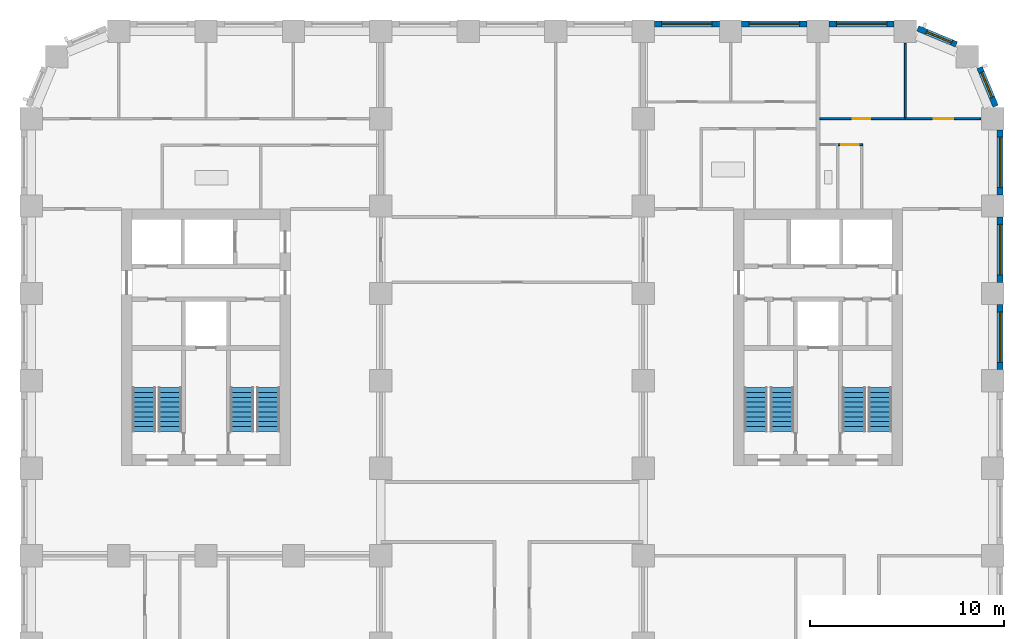
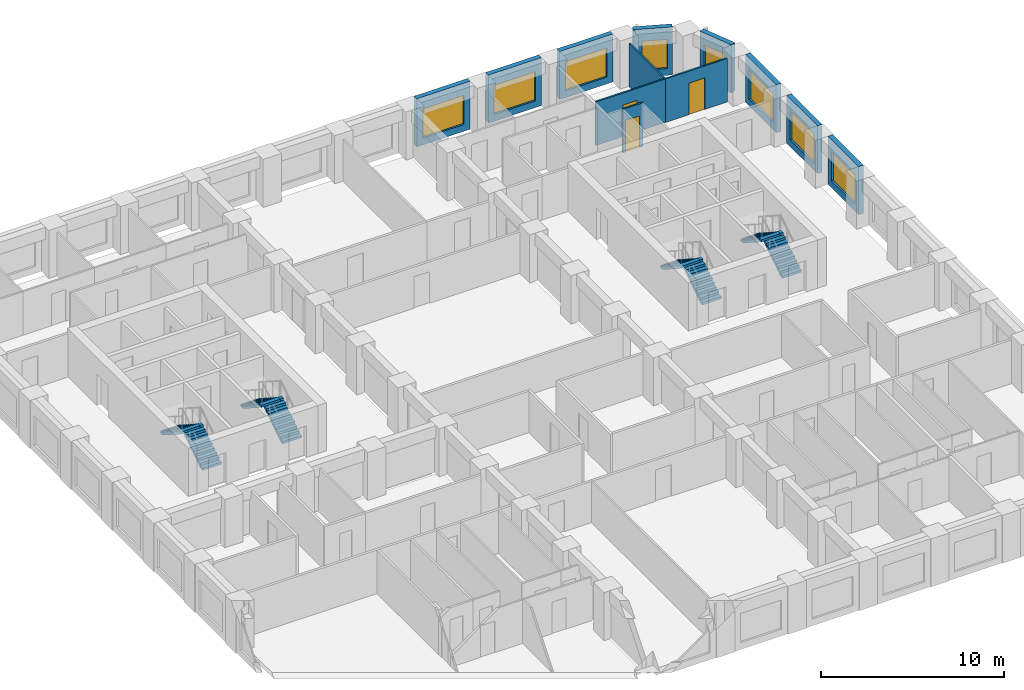
# One storey, part 9 of 12: 12 walls, 8 stair flights, 8 windows, 3 doors, 11 openings, 4 elements without a shape of their own.
"""IFC4 building model written with IfcOpenShell, lengths in metres."""

from ifc_helpers import new_model, si_unit, direction, frame, frame_2d, origin, place, context, subcontext, project, spatial, polyline, rectangle, outline, extrude, material, layer, layer_set, type_object, element, fill, aggregate, save


model = new_model("IFC4")

# Units and contexts
model_context = context("Model", 3, precision=1e-05, world=origin(), true_north=direction((0.0, 1.0)))
body_context = subcontext(model_context, "Body", "Model", "MODEL_VIEW")
ifc_project = project(units=[si_unit("LENGTHUNIT", "METRE"), si_unit("AREAUNIT", "SQUARE_METRE"), si_unit("VOLUMEUNIT", "CUBIC_METRE"), si_unit("PLANEANGLEUNIT", "RADIAN"), si_unit("MASSUNIT", "GRAM", prefix="KILO")], contexts=[model_context])

# Site, building, storey
site_placement = place(None, origin())
site = spatial("IfcSite", under=ifc_project, at=site_placement, CompositionType="ELEMENT")
building_placement = place(site_placement, origin())
building = spatial("IfcBuilding", under=site, at=building_placement, Name="Girih Gate Residences", CompositionType="ELEMENT")
storey_placement = place(building_placement, frame((0.0, 0.0, 115.199951171875)))
storey = spatial("IfcBuildingStorey", under=building, at=storey_placement, Name="L32", CompositionType="ELEMENT", Elevation=115.199951171875)

# Wall, opening, door
ifc_material_1 = material(Name="Gypsum board on steel studs", Category="steel")
ifc_layer_1 = layer(ifc_material_1, 0.10009765625)
ifc_layer_set_1 = layer_set([ifc_layer_1], Name="Partition 100 mm")
wall_type_1 = type_object("IfcWallType", Name="Partition 100 mm", PredefinedType="PARTITIONING", material=ifc_layer_set_1)
wall_1_placement = place(storey_placement, frame((40.60009765625, 45.0, 0.0), z_axis=(0.0, 0.0, 1.0), x_axis=(1.0, 0.0, 0.0)))
wall_1 = element("IfcWall", 1, at=wall_1_placement, inside=storey, type_object=wall_type_1, Name="L32 partition", PredefinedType="PARTITIONING", context=body_context, shape_type="SweptSolid", body=[
    extrude(rectangle(XDim=4.39990234375, YDim=0.10009765625, at=frame_2d((2.199951171875, 0.0))), origin(), (0.0, 0.0, 1.0), 2.900146484375),
])
opening_1_placement = place(wall_1_placement, frame((1.699951171875, 0.0, 0.0)))
opening_1 = element("IfcOpeningElement", 2, at=opening_1_placement, cuts=wall_1, Name="Opening A32-030", PredefinedType="OPENING", context=body_context, shape_type="SweptSolid", body=[
    extrude(rectangle(XDim=0.89990234375, YDim=2.10009765625, at=frame_2d((0.449951171875, 1.050048828125))), frame((0.0, 0.06005859375, 0.0), z_axis=(0.0, -1.0, 0.0), x_axis=(1.0, 0.0, 0.0)), (0.0, 0.0, 1.0), 0.1201171875),
])
ifc_material_2 = material(Name="Timber", Category="wood")
door_type_1 = type_object("IfcDoorType", Name="Bedroom door 900x2100", OperationType="NOTDEFINED", PredefinedType="DOOR", material=ifc_material_2)
door_1_placement = place(opening_1_placement, origin())
door_1 = element("IfcDoor", 3, at=door_1_placement, inside=storey, type_object=door_type_1, Name="Door A32-030", OperationType="SINGLE_SWING_LEFT", OverallHeight=2.10009765625, OverallWidth=0.89990234375, PredefinedType="DOOR", context=body_context, shape_type="SweptSolid", body=[
    extrude(rectangle(XDim=0.89990234375, YDim=2.10009765625, at=frame_2d((0.449951171875, 1.050048828125))), frame((0.0, 0.02490234375, 0.0), z_axis=(0.0, -1.0, 0.0), x_axis=(1.0, 0.0, 0.0)), (0.0, 0.0, 1.0), 0.050048828125),
])
fill(opening_1, door_1)

# Wall
wall_2_placement = place(storey_placement, frame((45.0, 45.050048828125, 0.0), z_axis=(0.0, 0.0, 1.0), x_axis=(0.0, 1.0, 0.0)))
element("IfcWall", 4, at=wall_2_placement, inside=storey, type_object=wall_type_1, Name="L32 partition", PredefinedType="PARTITIONING", context=body_context, shape_type="SweptSolid", body=[
    extrude(rectangle(XDim=3.82763671875, YDim=0.10009765625, at=frame_2d((1.913818359375, 0.0))), origin(), (0.0, 0.0, 1.0), 2.900146484375),
])

# Wall, opening, door
wall_3_placement = place(storey_placement, frame((42.800048828125, 43.659912109375, 0.0), z_axis=(0.0, 0.0, 1.0), x_axis=(-1.0, 0.0, 0.0)))
wall_3 = element("IfcWall", 5, at=wall_3_placement, inside=storey, type_object=wall_type_1, Name="L32 partition", PredefinedType="PARTITIONING", context=body_context, shape_type="SweptSolid", body=[
    extrude(rectangle(XDim=1.27734375, YDim=0.10009765625, at=frame_2d((0.638671875, 0.0))), origin(), (0.0, 0.0, 1.0), 2.900146484375),
])
opening_2_placement = place(wall_3_placement, frame((0.213623046875, 0.0, 0.0)))
opening_2 = element("IfcOpeningElement", 6, at=opening_2_placement, cuts=wall_3, Name="Opening A32-031", PredefinedType="OPENING", context=body_context, shape_type="SweptSolid", body=[
    extrude(rectangle(XDim=0.89990234375, YDim=2.10009765625, at=frame_2d((0.449951171875, 1.050048828125))), frame((0.0, 0.06005859375, 0.0), z_axis=(0.0, -1.0, 0.0), x_axis=(1.0, 0.0, 0.0)), (0.0, 0.0, 1.0), 0.1201171875),
])
door_type_2 = type_object("IfcDoorType", Name="Kitchen door 900x2100", OperationType="NOTDEFINED", PredefinedType="DOOR", material=ifc_material_2)
door_2_placement = place(opening_2_placement, origin())
door_2 = element("IfcDoor", 7, at=door_2_placement, inside=storey, type_object=door_type_2, Name="Door A32-031", OperationType="SINGLE_SWING_RIGHT", OverallHeight=2.10009765625, OverallWidth=0.89990234375, PredefinedType="DOOR", context=body_context, shape_type="SweptSolid", body=[
    extrude(rectangle(XDim=0.89990234375, YDim=2.10009765625, at=frame_2d((0.449951171875, 1.050048828125))), frame((0.0, 0.02490234375, 0.0), z_axis=(0.0, -1.0, 0.0), x_axis=(1.0, 0.0, 0.0)), (0.0, 0.0, 1.0), 0.050048828125),
])
fill(opening_2, door_2)

wall_4_placement = place(storey_placement, frame((45.0, 45.0, 0.0), z_axis=(0.0, 0.0, 1.0), x_axis=(1.0, 0.0, 0.0)))
wall_4 = element("IfcWall", 8, at=wall_4_placement, inside=storey, type_object=wall_type_1, Name="L32 partition", PredefinedType="PARTITIONING", context=body_context, shape_type="SweptSolid", body=[
    extrude(rectangle(XDim=3.877685546875, YDim=0.10009765625, at=frame_2d((1.93896484375, 0.0))), origin(), (0.0, 0.0, 1.0), 2.900146484375),
])
opening_3_placement = place(wall_4_placement, frame((1.46240234375, 0.0, 0.0)))
opening_3 = element("IfcOpeningElement", 9, at=opening_3_placement, cuts=wall_4, Name="Opening A32-032", PredefinedType="OPENING", context=body_context, shape_type="SweptSolid", body=[
    extrude(rectangle(XDim=1.0, YDim=2.10009765625, at=frame_2d((0.5, 1.050048828125))), frame((0.0, 0.06005859375, 0.0), z_axis=(0.0, -1.0, 0.0), x_axis=(1.0, 0.0, 0.0)), (0.0, 0.0, 1.0), 0.1201171875),
])
door_type_3 = type_object("IfcDoorType", Name="Living room door 1000x2100", OperationType="NOTDEFINED", PredefinedType="DOOR", material=ifc_material_2)
door_3_placement = place(opening_3_placement, origin())
door_3 = element("IfcDoor", 10, at=door_3_placement, inside=storey, type_object=door_type_3, Name="Door A32-032", OperationType="SINGLE_SWING_RIGHT", OverallHeight=2.10009765625, OverallWidth=1.0, PredefinedType="DOOR", context=body_context, shape_type="SweptSolid", body=[
    extrude(rectangle(XDim=1.0, YDim=2.10009765625, at=frame_2d((0.5, 1.050048828125))), frame((0.0, 0.02490234375, 0.0), z_axis=(0.0, -1.0, 0.0), x_axis=(1.0, 0.0, 0.0)), (0.0, 0.0, 1.0), 0.050048828125),
])
fill(opening_3, door_3)

# Wall, opening, window
ifc_material_3 = material(Name="Precast concrete C50/60", Category="concrete")
ifc_layer_2 = layer(ifc_material_3, 0.080078125, Name="Outer leaf")
ifc_material_4 = material(Name="Rigid PIR insulation")
ifc_layer_3 = layer(ifc_material_4, 0.14990234375, Name="Insulation")
ifc_material_5 = material(Name="Precast concrete C40/50", Category="concrete")
ifc_layer_4 = layer(ifc_material_5, 0.070068359375, Name="Inner leaf")
ifc_layer_set_2 = layer_set([ifc_layer_2, ifc_layer_3, ifc_layer_4], Name="Precast concrete C50/60 external wall 300")
wall_type_2 = type_object("IfcWallType", Name="Precast concrete C50/60 external wall 300", PredefinedType="SOLIDWALL", material=ifc_layer_set_2)
wall_5_placement = place(storey_placement, frame((49.875, 35.425048828125, 0.0), z_axis=(0.0, 0.0, 1.0), x_axis=(0.0, -1.0, 0.0)))
wall_5 = element("IfcWall", 11, at=wall_5_placement, inside=storey, type_object=wall_type_2, Name="External wall E0495_0045.6", PredefinedType="SOLIDWALL", context=body_context, shape_type="SweptSolid", body=[
    extrude(rectangle(XDim=3.35009765625, YDim=0.300048828125, at=frame_2d((1.675048828125, 0.0))), origin(), (0.0, 0.0, 1.0), 3.199951171875),
])
opening_4_placement = place(wall_5_placement, frame((0.375, 0.0, 0.449951171875)))
opening_4 = element("IfcOpeningElement", 12, at=opening_4_placement, cuts=wall_5, Name="Opening W-1A", PredefinedType="OPENING", context=body_context, shape_type="SweptSolid", body=[
    extrude(rectangle(XDim=2.60009765625, YDim=1.949951171875, at=frame_2d((1.300048828125, 0.97509765625))), frame((0.0, 0.159912109375, 0.0), z_axis=(0.0, -1.0, 0.0), x_axis=(1.0, 0.0, 0.0)), (0.0, 0.0, 1.0), 0.320068359375),
])
ifc_material_6 = material(Name="Double glazing in aluminium frame", Category="aluminium")
window_type_1 = type_object("IfcWindowType", Name="Window W-1A 2600x1950", PartitioningType="SINGLE_PANEL", PredefinedType="WINDOW", material=ifc_material_6)
window_1_placement = place(opening_4_placement, origin())
window_1 = element("IfcWindow", 13, at=window_1_placement, inside=storey, type_object=window_type_1, Name="Window W-1A E0495_0045.6", OverallHeight=1.949951171875, OverallWidth=2.60009765625, PartitioningType="SINGLE_PANEL", PredefinedType="WINDOW", context=body_context, shape_type="SweptSolid", body=[
    extrude(rectangle(XDim=2.60009765625, YDim=1.949951171875, at=frame_2d((1.300048828125, 0.97509765625))), frame((0.0, 0.030029296875, 0.0), z_axis=(0.0, -1.0, 0.0), x_axis=(1.0, 0.0, 0.0)), (0.0, 0.0, 1.0), 0.06005859375),
])
fill(opening_4, window_1)

wall_6_placement = place(storey_placement, frame((49.875, 39.925048828125, 0.0), z_axis=(0.0, 0.0, 1.0), x_axis=(0.0, -1.0, 0.0)))
wall_6 = element("IfcWall", 14, at=wall_6_placement, inside=storey, type_object=wall_type_2, Name="External wall E0495_0045.7", PredefinedType="SOLIDWALL", context=body_context, shape_type="SweptSolid", body=[
    extrude(rectangle(XDim=3.35009765625, YDim=0.300048828125, at=frame_2d((1.675048828125, 0.0))), origin(), (0.0, 0.0, 1.0), 3.199951171875),
])
opening_5_placement = place(wall_6_placement, frame((0.375, 0.0, 0.449951171875)))
opening_5 = element("IfcOpeningElement", 15, at=opening_5_placement, cuts=wall_6, Name="Opening W-1A", PredefinedType="OPENING", context=body_context, shape_type="SweptSolid", body=[
    extrude(rectangle(XDim=2.60009765625, YDim=1.949951171875, at=frame_2d((1.300048828125, 0.97509765625))), frame((0.0, 0.159912109375, 0.0), z_axis=(0.0, -1.0, 0.0), x_axis=(1.0, 0.0, 0.0)), (0.0, 0.0, 1.0), 0.320068359375),
])
window_2_placement = place(opening_5_placement, origin())
window_2 = element("IfcWindow", 16, at=window_2_placement, inside=storey, type_object=window_type_1, Name="Window W-1A E0495_0045.7", OverallHeight=1.949951171875, OverallWidth=2.60009765625, PartitioningType="SINGLE_PANEL", PredefinedType="WINDOW", context=body_context, shape_type="SweptSolid", body=[
    extrude(rectangle(XDim=2.60009765625, YDim=1.949951171875, at=frame_2d((1.300048828125, 0.97509765625))), frame((0.0, 0.030029296875, 0.0), z_axis=(0.0, -1.0, 0.0), x_axis=(1.0, 0.0, 0.0)), (0.0, 0.0, 1.0), 0.06005859375),
])
fill(opening_5, window_2)

wall_7_placement = place(storey_placement, frame((49.875, 44.425048828125, 0.0), z_axis=(0.0, 0.0, 1.0), x_axis=(0.0, -1.0, 0.0)))
wall_7 = element("IfcWall", 17, at=wall_7_placement, inside=storey, type_object=wall_type_2, Name="External wall E0495_0045.8", PredefinedType="SOLIDWALL", context=body_context, shape_type="SweptSolid", body=[
    extrude(rectangle(XDim=3.35009765625, YDim=0.300048828125, at=frame_2d((1.675048828125, 0.0))), origin(), (0.0, 0.0, 1.0), 3.199951171875),
])
opening_6_placement = place(wall_7_placement, frame((0.375, 0.0, 0.449951171875)))
opening_6 = element("IfcOpeningElement", 18, at=opening_6_placement, cuts=wall_7, Name="Opening W-1A", PredefinedType="OPENING", context=body_context, shape_type="SweptSolid", body=[
    extrude(rectangle(XDim=2.60009765625, YDim=1.949951171875, at=frame_2d((1.300048828125, 0.97509765625))), frame((0.0, 0.159912109375, 0.0), z_axis=(0.0, -1.0, 0.0), x_axis=(1.0, 0.0, 0.0)), (0.0, 0.0, 1.0), 0.320068359375),
])
window_3_placement = place(opening_6_placement, origin())
window_3 = element("IfcWindow", 19, at=window_3_placement, inside=storey, type_object=window_type_1, Name="Window W-1A E0495_0045.8", OverallHeight=1.949951171875, OverallWidth=2.60009765625, PartitioningType="SINGLE_PANEL", PredefinedType="WINDOW", context=body_context, shape_type="SweptSolid", body=[
    extrude(rectangle(XDim=2.60009765625, YDim=1.949951171875, at=frame_2d((1.300048828125, 0.97509765625))), frame((0.0, 0.030029296875, 0.0), z_axis=(0.0, -1.0, 0.0), x_axis=(1.0, 0.0, 0.0)), (0.0, 0.0, 1.0), 0.06005859375),
])
fill(opening_6, window_3)

wall_8_placement = place(storey_placement, frame((48.81591796875, 47.63134765625, 0.0), z_axis=(0.0, 0.0, 1.0), x_axis=(0.382723818695, -0.923862802911, 0.0)))
wall_8 = element("IfcWall", 20, at=wall_8_placement, inside=storey, type_object=wall_type_2, Name="External wall NE0495_0450.0", PredefinedType="SOLIDWALL", context=body_context, shape_type="SweptSolid", body=[
    extrude(rectangle(XDim=2.163818359375, YDim=0.300048828125, at=frame_2d((1.08203125, 0.0))), origin(), (0.0, 0.0, 1.0), 3.199951171875),
])
opening_7_placement = place(wall_8_placement, frame((0.270751953125, 0.0, 0.449951171875)))
opening_7 = element("IfcOpeningElement", 21, at=opening_7_placement, cuts=wall_8, Name="Opening W-2D", PredefinedType="OPENING", context=body_context, shape_type="SweptSolid", body=[
    extrude(rectangle(XDim=1.39990234375, YDim=1.949951171875, at=frame_2d((0.699951171875, 0.97509765625))), frame((0.0, 0.159912109375, 0.0), z_axis=(0.0, -1.0, 0.0), x_axis=(1.0, 0.0, 0.0)), (0.0, 0.0, 1.0), 0.320068359375),
])
window_type_2 = type_object("IfcWindowType", Name="Window W-2D 1400x1950", PartitioningType="SINGLE_PANEL", PredefinedType="WINDOW", material=ifc_material_6)
window_4_placement = place(opening_7_placement, origin())
window_4 = element("IfcWindow", 22, at=window_4_placement, inside=storey, type_object=window_type_2, Name="Window W-2D NE0495_0450.0", OverallHeight=1.949951171875, OverallWidth=1.39990234375, PartitioningType="SINGLE_PANEL", PredefinedType="WINDOW", context=body_context, shape_type="SweptSolid", body=[
    extrude(rectangle(XDim=1.39990234375, YDim=1.949951171875, at=frame_2d((0.699951171875, 0.97509765625))), frame((0.0, 0.030029296875, 0.0), z_axis=(0.0, -1.0, 0.0), x_axis=(1.0, 0.0, 0.0)), (0.0, 0.0, 1.0), 0.06005859375),
])
fill(opening_7, window_4)

wall_9_placement = place(storey_placement, frame((45.63232421875, 49.64404296875, 0.0), z_axis=(0.0, 0.0, 1.0), x_axis=(0.923862802911, -0.382723818695, 0.0)))
wall_9 = element("IfcWall", 23, at=wall_9_placement, inside=storey, type_object=wall_type_2, Name="External wall NE0482_0482.0", PredefinedType="SOLIDWALL", context=body_context, shape_type="SweptSolid", body=[
    extrude(rectangle(XDim=2.163818359375, YDim=0.300048828125, at=frame_2d((1.08203125, 0.0))), origin(), (0.0, 0.0, 1.0), 3.199951171875),
])
opening_8_placement = place(wall_9_placement, frame((0.492919921875, 0.0, 0.449951171875)))
opening_8 = element("IfcOpeningElement", 24, at=opening_8_placement, cuts=wall_9, Name="Opening W-2D", PredefinedType="OPENING", context=body_context, shape_type="SweptSolid", body=[
    extrude(rectangle(XDim=1.39990234375, YDim=1.949951171875, at=frame_2d((0.699951171875, 0.97509765625))), frame((0.0, 0.159912109375, 0.0), z_axis=(0.0, -1.0, 0.0), x_axis=(1.0, 0.0, 0.0)), (0.0, 0.0, 1.0), 0.320068359375),
])
window_5_placement = place(opening_8_placement, origin())
window_5 = element("IfcWindow", 25, at=window_5_placement, inside=storey, type_object=window_type_2, Name="Window W-2D NE0482_0482.0", OverallHeight=1.949951171875, OverallWidth=1.39990234375, PartitioningType="SINGLE_PANEL", PredefinedType="WINDOW", context=body_context, shape_type="SweptSolid", body=[
    extrude(rectangle(XDim=1.39990234375, YDim=1.949951171875, at=frame_2d((0.699951171875, 0.97509765625))), frame((0.0, 0.030029296875, 0.0), z_axis=(0.0, -1.0, 0.0), x_axis=(1.0, 0.0, 0.0)), (0.0, 0.0, 1.0), 0.06005859375),
])
fill(opening_8, window_5)

wall_10_placement = place(storey_placement, frame((41.074951171875, 49.875, 0.0), z_axis=(0.0, 0.0, 1.0), x_axis=(1.0, 0.0, 0.0)))
wall_10 = element("IfcWall", 26, at=wall_10_placement, inside=storey, type_object=wall_type_2, Name="External wall N0450_0495.0", PredefinedType="SOLIDWALL", context=body_context, shape_type="SweptSolid", body=[
    extrude(rectangle(XDim=3.35009765625, YDim=0.300048828125, at=frame_2d((1.675048828125, 0.0))), origin(), (0.0, 0.0, 1.0), 3.199951171875),
])
opening_9_placement = place(wall_10_placement, frame((0.375, 0.0, 0.449951171875)))
opening_9 = element("IfcOpeningElement", 27, at=opening_9_placement, cuts=wall_10, Name="Opening W-1A", PredefinedType="OPENING", context=body_context, shape_type="SweptSolid", body=[
    extrude(rectangle(XDim=2.60009765625, YDim=1.949951171875, at=frame_2d((1.300048828125, 0.97509765625))), frame((0.0, 0.159912109375, 0.0), z_axis=(0.0, -1.0, 0.0), x_axis=(1.0, 0.0, 0.0)), (0.0, 0.0, 1.0), 0.320068359375),
])
window_6_placement = place(opening_9_placement, origin())
window_6 = element("IfcWindow", 28, at=window_6_placement, inside=storey, type_object=window_type_1, Name="Window W-1A N0450_0495.0", OverallHeight=1.949951171875, OverallWidth=2.60009765625, PartitioningType="SINGLE_PANEL", PredefinedType="WINDOW", context=body_context, shape_type="SweptSolid", body=[
    extrude(rectangle(XDim=2.60009765625, YDim=1.949951171875, at=frame_2d((1.300048828125, 0.97509765625))), frame((0.0, 0.030029296875, 0.0), z_axis=(0.0, -1.0, 0.0), x_axis=(1.0, 0.0, 0.0)), (0.0, 0.0, 1.0), 0.06005859375),
])
fill(opening_9, window_6)

wall_11_placement = place(storey_placement, frame((36.574951171875, 49.875, 0.0), z_axis=(0.0, 0.0, 1.0), x_axis=(1.0, 0.0, 0.0)))
wall_11 = element("IfcWall", 29, at=wall_11_placement, inside=storey, type_object=wall_type_2, Name="External wall N0450_0495.1", PredefinedType="SOLIDWALL", context=body_context, shape_type="SweptSolid", body=[
    extrude(rectangle(XDim=3.35009765625, YDim=0.300048828125, at=frame_2d((1.675048828125, 0.0))), origin(), (0.0, 0.0, 1.0), 3.199951171875),
])
opening_10_placement = place(wall_11_placement, frame((0.375, 0.0, 0.449951171875)))
opening_10 = element("IfcOpeningElement", 30, at=opening_10_placement, cuts=wall_11, Name="Opening W-1A", PredefinedType="OPENING", context=body_context, shape_type="SweptSolid", body=[
    extrude(rectangle(XDim=2.60009765625, YDim=1.949951171875, at=frame_2d((1.300048828125, 0.97509765625))), frame((0.0, 0.159912109375, 0.0), z_axis=(0.0, -1.0, 0.0), x_axis=(1.0, 0.0, 0.0)), (0.0, 0.0, 1.0), 0.320068359375),
])
window_7_placement = place(opening_10_placement, origin())
window_7 = element("IfcWindow", 31, at=window_7_placement, inside=storey, type_object=window_type_1, Name="Window W-1A N0450_0495.1", OverallHeight=1.949951171875, OverallWidth=2.60009765625, PartitioningType="SINGLE_PANEL", PredefinedType="WINDOW", context=body_context, shape_type="SweptSolid", body=[
    extrude(rectangle(XDim=2.60009765625, YDim=1.949951171875, at=frame_2d((1.300048828125, 0.97509765625))), frame((0.0, 0.030029296875, 0.0), z_axis=(0.0, -1.0, 0.0), x_axis=(1.0, 0.0, 0.0)), (0.0, 0.0, 1.0), 0.06005859375),
])
fill(opening_10, window_7)

wall_12_placement = place(storey_placement, frame((32.074951171875, 49.875, 0.0), z_axis=(0.0, 0.0, 1.0), x_axis=(1.0, 0.0, 0.0)))
wall_12 = element("IfcWall", 32, at=wall_12_placement, inside=storey, type_object=wall_type_2, Name="External wall N0450_0495.2", PredefinedType="SOLIDWALL", context=body_context, shape_type="SweptSolid", body=[
    extrude(rectangle(XDim=3.35009765625, YDim=0.300048828125, at=frame_2d((1.675048828125, 0.0))), origin(), (0.0, 0.0, 1.0), 3.199951171875),
])
opening_11_placement = place(wall_12_placement, frame((0.375, 0.0, 0.449951171875)))
opening_11 = element("IfcOpeningElement", 33, at=opening_11_placement, cuts=wall_12, Name="Opening W-1A", PredefinedType="OPENING", context=body_context, shape_type="SweptSolid", body=[
    extrude(rectangle(XDim=2.60009765625, YDim=1.949951171875, at=frame_2d((1.300048828125, 0.97509765625))), frame((0.0, 0.159912109375, 0.0), z_axis=(0.0, -1.0, 0.0), x_axis=(1.0, 0.0, 0.0)), (0.0, 0.0, 1.0), 0.320068359375),
])
window_8_placement = place(opening_11_placement, origin())
window_8 = element("IfcWindow", 34, at=window_8_placement, inside=storey, type_object=window_type_1, Name="Window W-1A N0450_0495.2", OverallHeight=1.949951171875, OverallWidth=2.60009765625, PartitioningType="SINGLE_PANEL", PredefinedType="WINDOW", context=body_context, shape_type="SweptSolid", body=[
    extrude(rectangle(XDim=2.60009765625, YDim=1.949951171875, at=frame_2d((1.300048828125, 0.97509765625))), frame((0.0, 0.030029296875, 0.0), z_axis=(0.0, -1.0, 0.0), x_axis=(1.0, 0.0, 0.0)), (0.0, 0.0, 1.0), 0.06005859375),
])
fill(opening_11, window_8)

# Stair, stair flights
ifc_material_7 = material(Name="Concrete C40/50", Category="concrete")
stair_type = type_object("IfcStairType", Name="Exit stair", PredefinedType="HALF_TURN_STAIR", material=ifc_material_7)
stair_1_placement = place(storey_placement, origin())
stair_1 = element("IfcStair", 35, at=stair_1_placement, inside=storey, type_object=stair_type, Name="L32 Exit Stair ST-W1", PredefinedType="HALF_TURN_STAIR")
stair_flight_type = type_object("IfcStairFlightType", Name="Stair flight 1200", PredefinedType="STRAIGHT", material=ifc_material_7)
stair_flight_1_placement = place(storey_placement, frame((7.14990234375, 28.89990234375, 0.0), z_axis=(0.0, 0.0, 1.0), x_axis=(0.0, 1.0, 0.0)))
stair_flight_1 = element("IfcStairFlight", 36, at=stair_flight_1_placement, type_object=stair_flight_type, Name="ST-W1 flight 1", NumberOfRisers=10, NumberOfTreads=9, PredefinedType="STRAIGHT", RiserHeight=0.16, TreadLength=0.25, context=body_context, shape_type="SweptSolid", body=[
    extrude(outline(polyline([(0.0, 0.0), (0.0, 0.159912109375), (0.25, 0.159912109375), (0.25, 0.320068359375), (0.5, 0.320068359375), (0.5, 0.47998046875), (0.75, 0.47998046875), (0.75, 0.639892578125), (1.0, 0.639892578125), (1.0, 0.800048828125), (1.25, 0.800048828125), (1.25, 0.9599609375), (1.5, 0.9599609375), (1.5, 1.1201171875), (1.75, 1.1201171875), (1.75, 1.280029296875), (2.0, 1.280029296875), (2.0, 1.43994140625), (2.25, 1.43994140625), (2.25, 1.60009765625), (2.25, 1.29736328125), (0.222900390625, 0.0), (0.0, 0.0)])), frame((0.0, 0.60009765625, 0.0), z_axis=(0.0, -1.0, 0.0), x_axis=(1.0, 0.0, 0.0)), (0.0, 0.0, 1.0), 1.199951171875),
])
stair_flight_2_placement = place(storey_placement, frame((5.800048828125, 31.14990234375, 1.60009765625), z_axis=(0.0, 0.0, 1.0), x_axis=(0.0, -1.0, 0.0)))
stair_flight_2 = element("IfcStairFlight", 37, at=stair_flight_2_placement, type_object=stair_flight_type, Name="ST-W1 flight 2", NumberOfRisers=10, NumberOfTreads=9, PredefinedType="STRAIGHT", RiserHeight=0.16, TreadLength=0.25, context=body_context, shape_type="SweptSolid", body=[
    extrude(outline(polyline([(0.0, 0.0), (0.0, 0.159912109375), (0.25, 0.159912109375), (0.25, 0.320068359375), (0.5, 0.320068359375), (0.5, 0.47998046875), (0.75, 0.47998046875), (0.75, 0.639892578125), (1.0, 0.639892578125), (1.0, 0.800048828125), (1.25, 0.800048828125), (1.25, 0.9599609375), (1.5, 0.9599609375), (1.5, 1.1201171875), (1.75, 1.1201171875), (1.75, 1.280029296875), (2.0, 1.280029296875), (2.0, 1.43994140625), (2.25, 1.43994140625), (2.25, 1.60009765625), (2.25, 1.29736328125), (0.222900390625, 0.0), (0.0, 0.0)])), frame((0.0, 0.60009765625, 0.0), z_axis=(0.0, -1.0, 0.0), x_axis=(1.0, 0.0, 0.0)), (0.0, 0.0, 1.0), 1.199951171875),
])
aggregate(stair_1, [stair_flight_1, stair_flight_2])

stair_2_placement = place(storey_placement, origin())
stair_2 = element("IfcStair", 38, at=stair_2_placement, inside=storey, type_object=stair_type, Name="L32 Exit Stair ST-W2", PredefinedType="HALF_TURN_STAIR")
stair_flight_3_placement = place(storey_placement, frame((12.199951171875, 28.89990234375, 0.0), z_axis=(0.0, 0.0, 1.0), x_axis=(0.0, 1.0, 0.0)))
stair_flight_3 = element("IfcStairFlight", 39, at=stair_flight_3_placement, type_object=stair_flight_type, Name="ST-W2 flight 1", NumberOfRisers=10, NumberOfTreads=9, PredefinedType="STRAIGHT", RiserHeight=0.16, TreadLength=0.25, context=body_context, shape_type="SweptSolid", body=[
    extrude(outline(polyline([(0.0, 0.0), (0.0, 0.159912109375), (0.25, 0.159912109375), (0.25, 0.320068359375), (0.5, 0.320068359375), (0.5, 0.47998046875), (0.75, 0.47998046875), (0.75, 0.639892578125), (1.0, 0.639892578125), (1.0, 0.800048828125), (1.25, 0.800048828125), (1.25, 0.9599609375), (1.5, 0.9599609375), (1.5, 1.1201171875), (1.75, 1.1201171875), (1.75, 1.280029296875), (2.0, 1.280029296875), (2.0, 1.43994140625), (2.25, 1.43994140625), (2.25, 1.60009765625), (2.25, 1.29736328125), (0.222900390625, 0.0), (0.0, 0.0)])), frame((0.0, 0.60009765625, 0.0), z_axis=(0.0, -1.0, 0.0), x_axis=(1.0, 0.0, 0.0)), (0.0, 0.0, 1.0), 1.199951171875),
])
stair_flight_4_placement = place(storey_placement, frame((10.85009765625, 31.14990234375, 1.60009765625), z_axis=(0.0, 0.0, 1.0), x_axis=(0.0, -1.0, 0.0)))
stair_flight_4 = element("IfcStairFlight", 40, at=stair_flight_4_placement, type_object=stair_flight_type, Name="ST-W2 flight 2", NumberOfRisers=10, NumberOfTreads=9, PredefinedType="STRAIGHT", RiserHeight=0.16, TreadLength=0.25, context=body_context, shape_type="SweptSolid", body=[
    extrude(outline(polyline([(0.0, 0.0), (0.0, 0.159912109375), (0.25, 0.159912109375), (0.25, 0.320068359375), (0.5, 0.320068359375), (0.5, 0.47998046875), (0.75, 0.47998046875), (0.75, 0.639892578125), (1.0, 0.639892578125), (1.0, 0.800048828125), (1.25, 0.800048828125), (1.25, 0.9599609375), (1.5, 0.9599609375), (1.5, 1.1201171875), (1.75, 1.1201171875), (1.75, 1.280029296875), (2.0, 1.280029296875), (2.0, 1.43994140625), (2.25, 1.43994140625), (2.25, 1.60009765625), (2.25, 1.29736328125), (0.222900390625, 0.0), (0.0, 0.0)])), frame((0.0, 0.60009765625, 0.0), z_axis=(0.0, -1.0, 0.0), x_axis=(1.0, 0.0, 0.0)), (0.0, 0.0, 1.0), 1.199951171875),
])
aggregate(stair_2, [stair_flight_3, stair_flight_4])

stair_3_placement = place(storey_placement, origin())
stair_3 = element("IfcStair", 41, at=stair_3_placement, inside=storey, type_object=stair_type, Name="L32 Exit Stair ST-E1", PredefinedType="HALF_TURN_STAIR")
stair_flight_5_placement = place(storey_placement, frame((43.699951171875, 28.89990234375, 0.0), z_axis=(0.0, 0.0, 1.0), x_axis=(0.0, 1.0, 0.0)))
stair_flight_5 = element("IfcStairFlight", 42, at=stair_flight_5_placement, type_object=stair_flight_type, Name="ST-E1 flight 1", NumberOfRisers=10, NumberOfTreads=9, PredefinedType="STRAIGHT", RiserHeight=0.16, TreadLength=0.25, context=body_context, shape_type="SweptSolid", body=[
    extrude(outline(polyline([(0.0, 0.0), (0.0, 0.159912109375), (0.25, 0.159912109375), (0.25, 0.320068359375), (0.5, 0.320068359375), (0.5, 0.47998046875), (0.75, 0.47998046875), (0.75, 0.639892578125), (1.0, 0.639892578125), (1.0, 0.800048828125), (1.25, 0.800048828125), (1.25, 0.9599609375), (1.5, 0.9599609375), (1.5, 1.1201171875), (1.75, 1.1201171875), (1.75, 1.280029296875), (2.0, 1.280029296875), (2.0, 1.43994140625), (2.25, 1.43994140625), (2.25, 1.60009765625), (2.25, 1.29736328125), (0.222900390625, 0.0), (0.0, 0.0)])), frame((0.0, 0.60009765625, 0.0), z_axis=(0.0, -1.0, 0.0), x_axis=(1.0, 0.0, 0.0)), (0.0, 0.0, 1.0), 1.199951171875),
])
stair_flight_6_placement = place(storey_placement, frame((42.35009765625, 31.14990234375, 1.60009765625), z_axis=(0.0, 0.0, 1.0), x_axis=(0.0, -1.0, 0.0)))
stair_flight_6 = element("IfcStairFlight", 43, at=stair_flight_6_placement, type_object=stair_flight_type, Name="ST-E1 flight 2", NumberOfRisers=10, NumberOfTreads=9, PredefinedType="STRAIGHT", RiserHeight=0.16, TreadLength=0.25, context=body_context, shape_type="SweptSolid", body=[
    extrude(outline(polyline([(0.0, 0.0), (0.0, 0.159912109375), (0.25, 0.159912109375), (0.25, 0.320068359375), (0.5, 0.320068359375), (0.5, 0.47998046875), (0.75, 0.47998046875), (0.75, 0.639892578125), (1.0, 0.639892578125), (1.0, 0.800048828125), (1.25, 0.800048828125), (1.25, 0.9599609375), (1.5, 0.9599609375), (1.5, 1.1201171875), (1.75, 1.1201171875), (1.75, 1.280029296875), (2.0, 1.280029296875), (2.0, 1.43994140625), (2.25, 1.43994140625), (2.25, 1.60009765625), (2.25, 1.29736328125), (0.222900390625, 0.0), (0.0, 0.0)])), frame((0.0, 0.60009765625, 0.0), z_axis=(0.0, -1.0, 0.0), x_axis=(1.0, 0.0, 0.0)), (0.0, 0.0, 1.0), 1.199951171875),
])
aggregate(stair_3, [stair_flight_5, stair_flight_6])

stair_4_placement = place(storey_placement, origin())
stair_4 = element("IfcStair", 44, at=stair_4_placement, inside=storey, type_object=stair_type, Name="L32 Exit Stair ST-E2", PredefinedType="HALF_TURN_STAIR")
stair_flight_7_placement = place(storey_placement, frame((38.64990234375, 28.89990234375, 0.0), z_axis=(0.0, 0.0, 1.0), x_axis=(0.0, 1.0, 0.0)))
stair_flight_7 = element("IfcStairFlight", 45, at=stair_flight_7_placement, type_object=stair_flight_type, Name="ST-E2 flight 1", NumberOfRisers=10, NumberOfTreads=9, PredefinedType="STRAIGHT", RiserHeight=0.16, TreadLength=0.25, context=body_context, shape_type="SweptSolid", body=[
    extrude(outline(polyline([(0.0, 0.0), (0.0, 0.159912109375), (0.25, 0.159912109375), (0.25, 0.320068359375), (0.5, 0.320068359375), (0.5, 0.47998046875), (0.75, 0.47998046875), (0.75, 0.639892578125), (1.0, 0.639892578125), (1.0, 0.800048828125), (1.25, 0.800048828125), (1.25, 0.9599609375), (1.5, 0.9599609375), (1.5, 1.1201171875), (1.75, 1.1201171875), (1.75, 1.280029296875), (2.0, 1.280029296875), (2.0, 1.43994140625), (2.25, 1.43994140625), (2.25, 1.60009765625), (2.25, 1.29736328125), (0.222900390625, 0.0), (0.0, 0.0)])), frame((0.0, 0.60009765625, 0.0), z_axis=(0.0, -1.0, 0.0), x_axis=(1.0, 0.0, 0.0)), (0.0, 0.0, 1.0), 1.199951171875),
])
stair_flight_8_placement = place(storey_placement, frame((37.300048828125, 31.14990234375, 1.60009765625), z_axis=(0.0, 0.0, 1.0), x_axis=(0.0, -1.0, 0.0)))
stair_flight_8 = element("IfcStairFlight", 46, at=stair_flight_8_placement, type_object=stair_flight_type, Name="ST-E2 flight 2", NumberOfRisers=10, NumberOfTreads=9, PredefinedType="STRAIGHT", RiserHeight=0.16, TreadLength=0.25, context=body_context, shape_type="SweptSolid", body=[
    extrude(outline(polyline([(0.0, 0.0), (0.0, 0.159912109375), (0.25, 0.159912109375), (0.25, 0.320068359375), (0.5, 0.320068359375), (0.5, 0.47998046875), (0.75, 0.47998046875), (0.75, 0.639892578125), (1.0, 0.639892578125), (1.0, 0.800048828125), (1.25, 0.800048828125), (1.25, 0.9599609375), (1.5, 0.9599609375), (1.5, 1.1201171875), (1.75, 1.1201171875), (1.75, 1.280029296875), (2.0, 1.280029296875), (2.0, 1.43994140625), (2.25, 1.43994140625), (2.25, 1.60009765625), (2.25, 1.29736328125), (0.222900390625, 0.0), (0.0, 0.0)])), frame((0.0, 0.60009765625, 0.0), z_axis=(0.0, -1.0, 0.0), x_axis=(1.0, 0.0, 0.0)), (0.0, 0.0, 1.0), 1.199951171875),
])
aggregate(stair_4, [stair_flight_7, stair_flight_8])

save(model, "model.ifc")
